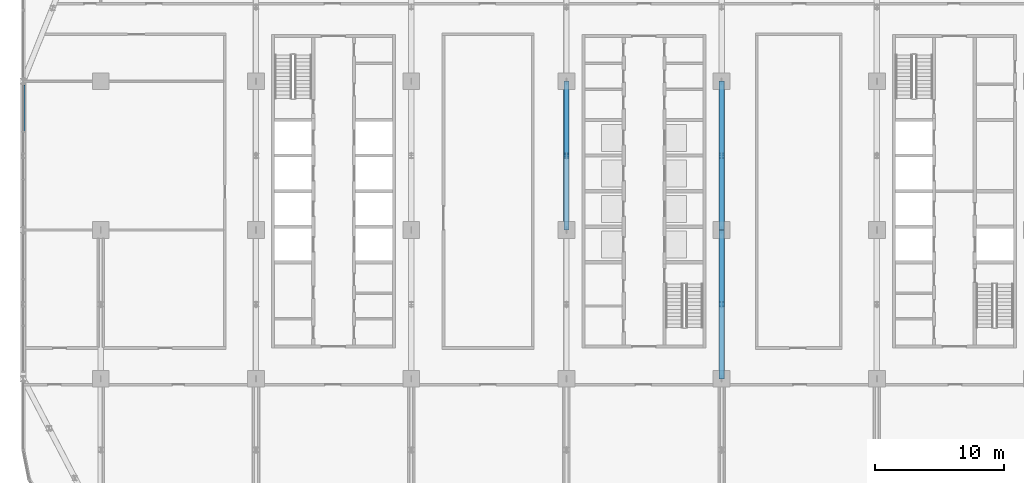
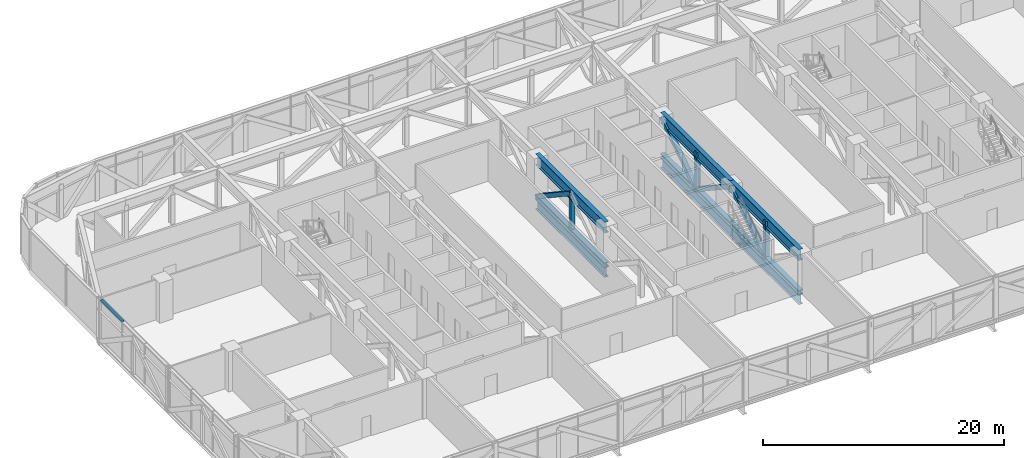
# One storey, part 6 of 30: 14 members, 3 beams, 1 element without a shape of its own.
"""IFC4 building model written with IfcOpenShell, lengths in metres."""

from ifc_helpers import new_model, si_unit, direction, frame, origin, origin_2d, place, context, subcontext, project, spatial, rectangle, hollow_rectangle, i_section, extrude, material, material_profile, profile_set, type_object, element, aggregate, save


model = new_model("IFC4")

# Units and contexts
model_context = context("Model", 3, precision=1e-05, world=origin(), true_north=direction((0.0, 1.0)))
body_context = subcontext(model_context, "Body", "Model", "MODEL_VIEW")
ifc_project = project(units=[si_unit("LENGTHUNIT", "METRE"), si_unit("AREAUNIT", "SQUARE_METRE"), si_unit("VOLUMEUNIT", "CUBIC_METRE"), si_unit("PLANEANGLEUNIT", "RADIAN"), si_unit("MASSUNIT", "GRAM", prefix="KILO")], contexts=[model_context])

# Site, building, storey
site_placement = place(None, origin())
site = spatial("IfcSite", under=ifc_project, at=site_placement, CompositionType="ELEMENT")
building_placement = place(site_placement, origin())
building = spatial("IfcBuilding", under=site, at=building_placement, Name="Mahtab Terrace Research Tower", CompositionType="ELEMENT")
storey_placement = place(building_placement, frame((0.0, 0.0, 154.800048828125)))
storey = spatial("IfcBuildingStorey", under=building, at=storey_placement, Name="L36", CompositionType="ELEMENT", Elevation=154.800048828125)

# Members
ifc_material_1 = material(Name="Steel ASTM A500 Gr C", Category="steel")
ifc_material_profile_1 = material_profile(ifc_material_1, hollow_rectangle(XDim=0.406494140625, YDim=0.406494140625, WallThickness=0.015869140625, at=origin_2d()), Name="HSS16X16X5/8")
ifc_profile_set_1 = profile_set([ifc_material_profile_1], Name="Steel ASTM A500 Gr C")
member_type_1 = type_object("IfcMemberType", Name="HSS 16x16x5/8 brace TD161658", PredefinedType="BRACE", material=ifc_profile_set_1)
for number, where, z_axis, x_axis, name in (
    (1, (-6.0, 11.5, -0.317626953125), (0.0, -0.833017600398, 0.553246488852), (1.0, 0.0, 0.0), "Transfer truss T4 diagonal 058"),
    (2, (6.0, -5.75, -0.317626953125), (0.0, 0.833017600398, 0.553246488852), (-1.0, 0.0, 0.0), "Transfer truss T4 diagonal 071"),
    (3, (6.0, 5.75, -0.317626953125), (0.0, -0.833017600398, 0.553246488852), (1.0, 0.0, 0.0), "Transfer truss T4 diagonal 072"),
    (4, (6.0, 5.75, -0.317626953125), (0.0, 0.833017600398, 0.553246488852), (-1.0, 0.0, 0.0), "Transfer truss T4 diagonal 073"),
):
    element("IfcMember", number, at=place(storey_placement, frame(where, z_axis=z_axis, x_axis=x_axis)), inside=storey, type_object=member_type_1, Name=name, PredefinedType="BRACE", context=body_context, shape_type="SweptSolid", body=[
        extrude(hollow_rectangle(XDim=0.406494140625, YDim=0.406494140625, WallThickness=0.015869140625, at=origin_2d()), origin(), (0.0, 0.0, 1.0), 6.902587890625),
    ])

# Curtain wall, member
ifc_material_2 = material(Name="Sky lounge full-height curtain wall")
curtain_wall_type = type_object("IfcCurtainWallType", Name="Sky lounge full-height curtain wall", PredefinedType="NOTDEFINED", material=ifc_material_2)
curtain_wall_placement = place(storey_placement, origin())
curtain_wall = element("IfcCurtainWall", 5, at=curtain_wall_placement, inside=storey, type_object=curtain_wall_type, Name="EN.L36.11.1", PredefinedType="NOTDEFINED")
ifc_material_3 = material(Name="Natural anodised aluminium", Category="aluminium")
ifc_material_profile_2 = material_profile(ifc_material_3, rectangle(XDim=0.25, YDim=0.1201171875, at=origin_2d()), Name="TRANSOM 120x250")
ifc_profile_set_2 = profile_set([ifc_material_profile_2], Name="Natural anodised aluminium")
member_type_2 = type_object("IfcMemberType", Name="Sky lounge full-height curtain wall transom", PredefinedType="USERDEFINED", material=ifc_profile_set_2)
member_placement = place(storey_placement, frame((-48.0, 11.2119140625, 4.0), z_axis=(0.0, -1.0, 0.0), x_axis=(1.0, 0.0, 0.0)))
member = element("IfcMember", 6, at=member_placement, type_object=member_type_2, Name="CWS-T4 transom 1", ObjectType="TRANSOM", PredefinedType="USERDEFINED", context=body_context, shape_type="SweptSolid", body=[
    extrude(rectangle(XDim=0.25, YDim=0.1201171875, at=origin_2d()), origin(), (0.0, 0.0, 1.0), 3.5830078125),
])
aggregate(curtain_wall, [member])

# Members
ifc_material_4 = material(Name="Steel ASTM A992 Gr 50", Category="steel")
ifc_material_profile_3 = material_profile(ifc_material_4, i_section(OverallWidth=0.396240234375, OverallDepth=0.381103515625, WebThickness=0.018798828125, FlangeThickness=0.0302734375, at=origin_2d()), Name="W14X159")
ifc_profile_set_3 = profile_set([ifc_material_profile_3], Name="Steel ASTM A992 Gr 50")
member_type_3 = type_object("IfcMemberType", Name="W14x159 post TP14159", PredefinedType="POST", material=ifc_profile_set_3)
for number, where, z_axis, x_axis, name in (
    (7, (-6.0, 5.75, -0.317626953125), (0.0, 0.0, 1.0), (1.0, 0.0, 0.0), "Transfer truss T4 post 053"),
    (8, (6.0, -5.75, -0.317626953125), (0.0, 0.0, 1.0), (1.0, 0.0, 0.0), "Transfer truss T4 post 064"),
    (9, (6.0, 5.75, -0.317626953125), (0.0, 0.0, 1.0), (1.0, 0.0, 0.0), "Transfer truss T4 post 066"),
):
    element("IfcMember", number, at=place(storey_placement, frame(where, z_axis=z_axis, x_axis=x_axis)), inside=storey, type_object=member_type_3, Name=name, PredefinedType="POST", context=body_context, shape_type="SweptSolid", body=[
        extrude(i_section(OverallWidth=0.396240234375, OverallDepth=0.381103515625, WebThickness=0.018798828125, FlangeThickness=0.0302734375, at=origin_2d()), origin(), (0.0, 0.0, 1.0), 3.81884765625),
    ])
ifc_material_profile_4 = material_profile(ifc_material_4, i_section(OverallWidth=0.421630859375, OverallDepth=0.46484375, WebThickness=0.044921875, FlangeThickness=0.072509765625, at=origin_2d()), Name="W14X398")
ifc_profile_set_4 = profile_set([ifc_material_profile_4], Name="Steel ASTM A992 Gr 50")
member_type_4 = type_object("IfcMemberType", Name="W14x398 chord TC14398", PredefinedType="CHORD", material=ifc_profile_set_4)
for number, where, z_axis, x_axis, name in (
    (10, (-6.0, 0.0, -0.317626953125), (0.0, 1.0, 0.0), (-1.0, 0.0, 0.0), "Transfer truss T4 bottom chord 048"),
    (11, (6.0, -11.5, -0.317626953125), (0.0, 1.0, 0.0), (-1.0, 0.0, 0.0), "Transfer truss T4 bottom chord 053"),
    (12, (6.0, 0.0, -0.317626953125), (0.0, 1.0, 0.0), (-1.0, 0.0, 0.0), "Transfer truss T4 bottom chord 054"),
):
    element("IfcMember", number, at=place(storey_placement, frame(where, z_axis=z_axis, x_axis=x_axis)), inside=storey, type_object=member_type_4, Name=name, PredefinedType="CHORD", context=body_context, shape_type="SweptSolid", body=[
        extrude(i_section(OverallWidth=0.421630859375, OverallDepth=0.46484375, WebThickness=0.044921875, FlangeThickness=0.072509765625, at=origin_2d()), origin(), (0.0, 0.0, 1.0), 11.5),
    ])

# Beams
ifc_material_profile_5 = material_profile(ifc_material_4, i_section(OverallWidth=0.4013671875, OverallDepth=1.000732421875, WebThickness=0.01904296875, FlangeThickness=0.0361328125, at=origin_2d()), Name="W40X249")
ifc_profile_set_5 = profile_set([ifc_material_profile_5], Name="Steel ASTM A992 Gr 50")
beam_type = type_object("IfcBeamType", Name="W40x249 transfer girder TG40249", PredefinedType="BEAM", material=ifc_profile_set_5)
for number, where, z_axis, x_axis, name in (
    (13, (6.0, 0.0, -1.04833984375), (0.0, 1.0, 0.0), (-1.0, 0.0, 0.0), "Transfer girder T4 10"),
    (14, (-6.0, 0.0, -1.04833984375), (0.0, 1.0, 0.0), (-1.0, 0.0, 0.0), "Transfer girder T4 13"),
    (15, (6.0, -11.5, -1.04833984375), (0.0, 1.0, 0.0), (-1.0, 0.0, 0.0), "Transfer girder T4 36"),
):
    element("IfcBeam", number, at=place(storey_placement, frame(where, z_axis=z_axis, x_axis=x_axis)), inside=storey, type_object=beam_type, Name=name, PredefinedType="BEAM", context=body_context, shape_type="SweptSolid", body=[
        extrude(i_section(OverallWidth=0.4013671875, OverallDepth=1.000732421875, WebThickness=0.01904296875, FlangeThickness=0.0361328125, at=origin_2d()), origin(), (0.0, 0.0, 1.0), 11.5),
    ])

# Members
ifc_material_profile_6 = material_profile(ifc_material_4, i_section(OverallWidth=0.40380859375, OverallDepth=1.11767578125, WebThickness=0.026123046875, FlangeThickness=0.044921875, at=origin_2d()), Name="W44X335")
ifc_profile_set_6 = profile_set([ifc_material_profile_6], Name="Steel ASTM A992 Gr 50")
member_type_5 = type_object("IfcMemberType", Name="W44x335 chord TT44335", PredefinedType="CHORD", material=ifc_profile_set_6)
for number, where, z_axis, x_axis, name in (
    (16, (-6.0, 0.0, 3.501220703125), (0.0, 1.0, 0.0), (-1.0, 0.0, 0.0), "Transfer truss T4 top chord 047"),
    (17, (6.0, -11.5, 3.501220703125), (0.0, 1.0, 0.0), (-1.0, 0.0, 0.0), "Transfer truss T4 top chord 052"),
    (18, (6.0, 0.0, 3.501220703125), (0.0, 1.0, 0.0), (-1.0, 0.0, 0.0), "Transfer truss T4 top chord 053"),
):
    element("IfcMember", number, at=place(storey_placement, frame(where, z_axis=z_axis, x_axis=x_axis)), inside=storey, type_object=member_type_5, Name=name, PredefinedType="CHORD", context=body_context, shape_type="SweptSolid", body=[
        extrude(i_section(OverallWidth=0.40380859375, OverallDepth=1.11767578125, WebThickness=0.026123046875, FlangeThickness=0.044921875, at=origin_2d()), origin(), (0.0, 0.0, 1.0), 11.5),
    ])

save(model, "model.ifc")
